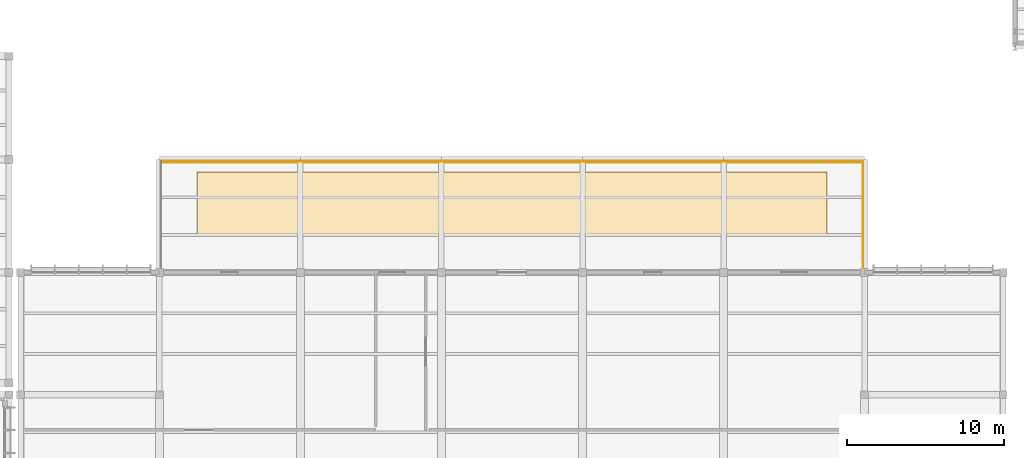
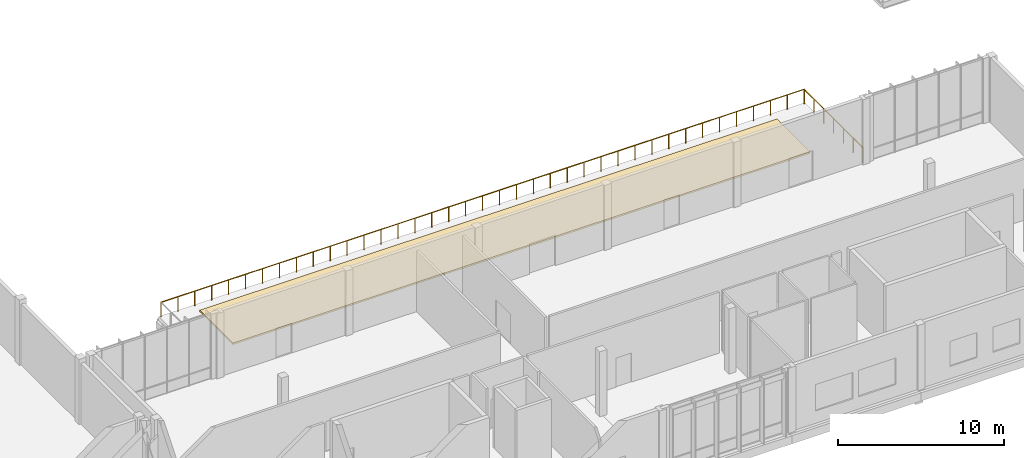
# One storey, part 170 of 177: 2 railings, 1 covering.
"""IFC4 building model written with IfcOpenShell, lengths in metres."""

from ifc_helpers import new_model, si_unit, direction, frame, origin, origin_2d, place, context, subcontext, project, spatial, polyline, circle, outline, extrude, material, layer, layer_set, type_object, element, save


model = new_model("IFC4")

# Units and contexts
model_context = context("Model", 3, precision=1e-05, world=origin(), true_north=direction((0.0, 1.0)))
body_context = subcontext(model_context, "Body", "Model", "MODEL_VIEW")
ifc_project = project(units=[si_unit("LENGTHUNIT", "METRE"), si_unit("AREAUNIT", "SQUARE_METRE"), si_unit("VOLUMEUNIT", "CUBIC_METRE"), si_unit("PLANEANGLEUNIT", "RADIAN"), si_unit("MASSUNIT", "GRAM", prefix="KILO")], contexts=[model_context])

# Site, building, storey
site_placement = place(None, origin())
site = spatial("IfcSite", under=ifc_project, at=site_placement, CompositionType="ELEMENT")
building_placement = place(site_placement, origin())
building = spatial("IfcBuilding", under=site, at=building_placement, Name="Chiffa Square Polytechnic", CompositionType="ELEMENT")
storey_placement = place(building_placement, frame((0.0, 0.0, 4.800048828125)))
storey = spatial("IfcBuildingStorey", under=building, at=storey_placement, Name="L01", CompositionType="ELEMENT", Elevation=4.800048828125)

# Covering
ifc_material_1 = material(Name="Vegetated substrate")
ifc_layer_1 = layer(ifc_material_1, 0.1201171875, Name="Vegetated substrate")
ifc_layer_set_1 = layer_set([ifc_layer_1], Name="Vegetated substrate")
covering_type = type_object("IfcCoveringType", Name="COV-GARDEN-300", PredefinedType="ROOFING", material=ifc_layer_set_1)
covering_placement = place(storey_placement, origin())
element("IfcCovering", 1, at=covering_placement, inside=storey, type_object=covering_type, Name="Planted Mediterranean roof garden GD-V4-L01", PredefinedType="ROOFING", context=body_context, shape_type="SweptSolid", body=[
    extrude(outline(polyline([(60.0, 46.199951171875), (100.199951171875, 46.199951171875), (100.199951171875, 50.199951171875), (60.0, 50.199951171875), (60.0, 46.199951171875)])), origin(), (0.0, 0.0, 1.0), 0.119873046875),
])

# Railings
ifc_material_2 = material(Name="Steel S355", Category="steel")
ifc_layer_2 = layer(ifc_material_2, 0.06005859375, Name="Steel S355")
ifc_layer_set_2 = layer_set([ifc_layer_2], Name="Steel S355")
railing_type = type_object("IfcRailingType", Name="RL-TERR-1100", PredefinedType="BALUSTRADE", material=ifc_layer_set_2)
railing_1_placement = place(storey_placement, frame((57.699951171875, 50.89990234375, 0.0)))
element("IfcRailing", 2, at=railing_1_placement, inside=storey, type_object=railing_type, Name="Terrace safety guard GR-TERR-V4-L01-2", PredefinedType="BALUSTRADE", context=body_context, shape_type="SweptSolid", body=[
    extrude(circle(Radius=0.02392578125, at=origin_2d()), frame((0.0, 0.0, 1.076171875), z_axis=(1.0, 0.0, 0.0), x_axis=(0.0, 1.0, 0.0)), (0.0, 0.0, 1.0), 44.800048828125),
    extrude(circle(Radius=0.02099609375, at=origin_2d()), origin(), (0.0, 0.0, 1.0), 1.052001953125),
    extrude(circle(Radius=0.02099609375, at=origin_2d()), frame((1.178955078125, 0.0, 0.0)), (0.0, 0.0, 1.0), 1.052001953125),
    extrude(circle(Radius=0.02099609375, at=origin_2d()), frame((2.35791015625, 0.0, 0.0)), (0.0, 0.0, 1.0), 1.052001953125),
    extrude(circle(Radius=0.02099609375, at=origin_2d()), frame((3.536865234375, 0.0, 0.0)), (0.0, 0.0, 1.0), 1.052001953125),
    extrude(circle(Radius=0.02099609375, at=origin_2d()), frame((4.7158203125, 0.0, 0.0)), (0.0, 0.0, 1.0), 1.052001953125),
    extrude(circle(Radius=0.02099609375, at=origin_2d()), frame((5.894775390625, 0.0, 0.0)), (0.0, 0.0, 1.0), 1.052001953125),
    extrude(circle(Radius=0.02099609375, at=origin_2d()), frame((7.07373046875, 0.0, 0.0)), (0.0, 0.0, 1.0), 1.052001953125),
    extrude(circle(Radius=0.02099609375, at=origin_2d()), frame((8.252685546875, 0.0, 0.0)), (0.0, 0.0, 1.0), 1.052001953125),
    extrude(circle(Radius=0.02099609375, at=origin_2d()), frame((9.431640625, 0.0, 0.0)), (0.0, 0.0, 1.0), 1.052001953125),
    extrude(circle(Radius=0.02099609375, at=origin_2d()), frame((10.610595703125, 0.0, 0.0)), (0.0, 0.0, 1.0), 1.052001953125),
    extrude(circle(Radius=0.02099609375, at=origin_2d()), frame((11.78955078125, 0.0, 0.0)), (0.0, 0.0, 1.0), 1.052001953125),
    extrude(circle(Radius=0.02099609375, at=origin_2d()), frame((12.968505859375, 0.0, 0.0)), (0.0, 0.0, 1.0), 1.052001953125),
    extrude(circle(Radius=0.02099609375, at=origin_2d()), frame((14.1474609375, 0.0, 0.0)), (0.0, 0.0, 1.0), 1.052001953125),
    extrude(circle(Radius=0.02099609375, at=origin_2d()), frame((15.326416015625, 0.0, 0.0)), (0.0, 0.0, 1.0), 1.052001953125),
    extrude(circle(Radius=0.02099609375, at=origin_2d()), frame((16.50537109375, 0.0, 0.0)), (0.0, 0.0, 1.0), 1.052001953125),
    extrude(circle(Radius=0.02099609375, at=origin_2d()), frame((17.684326171875, 0.0, 0.0)), (0.0, 0.0, 1.0), 1.052001953125),
    extrude(circle(Radius=0.02099609375, at=origin_2d()), frame((18.86328125, 0.0, 0.0)), (0.0, 0.0, 1.0), 1.052001953125),
    extrude(circle(Radius=0.02099609375, at=origin_2d()), frame((20.042236328125, 0.0, 0.0)), (0.0, 0.0, 1.0), 1.052001953125),
    extrude(circle(Radius=0.02099609375, at=origin_2d()), frame((21.22119140625, 0.0, 0.0)), (0.0, 0.0, 1.0), 1.052001953125),
    extrude(circle(Radius=0.02099609375, at=origin_2d()), frame((22.39990234375, 0.0, 0.0)), (0.0, 0.0, 1.0), 1.052001953125),
    extrude(circle(Radius=0.02099609375, at=origin_2d()), frame((23.578857421875, 0.0, 0.0)), (0.0, 0.0, 1.0), 1.052001953125),
    extrude(circle(Radius=0.02099609375, at=origin_2d()), frame((24.7578125, 0.0, 0.0)), (0.0, 0.0, 1.0), 1.052001953125),
    extrude(circle(Radius=0.02099609375, at=origin_2d()), frame((25.936767578125, 0.0, 0.0)), (0.0, 0.0, 1.0), 1.052001953125),
    extrude(circle(Radius=0.02099609375, at=origin_2d()), frame((27.11572265625, 0.0, 0.0)), (0.0, 0.0, 1.0), 1.052001953125),
    extrude(circle(Radius=0.02099609375, at=origin_2d()), frame((28.294677734375, 0.0, 0.0)), (0.0, 0.0, 1.0), 1.052001953125),
    extrude(circle(Radius=0.02099609375, at=origin_2d()), frame((29.4736328125, 0.0, 0.0)), (0.0, 0.0, 1.0), 1.052001953125),
    extrude(circle(Radius=0.02099609375, at=origin_2d()), frame((30.652587890625, 0.0, 0.0)), (0.0, 0.0, 1.0), 1.052001953125),
    extrude(circle(Radius=0.02099609375, at=origin_2d()), frame((31.83154296875, 0.0, 0.0)), (0.0, 0.0, 1.0), 1.052001953125),
    extrude(circle(Radius=0.02099609375, at=origin_2d()), frame((33.010498046875, 0.0, 0.0)), (0.0, 0.0, 1.0), 1.052001953125),
    extrude(circle(Radius=0.02099609375, at=origin_2d()), frame((34.189453125, 0.0, 0.0)), (0.0, 0.0, 1.0), 1.052001953125),
    extrude(circle(Radius=0.02099609375, at=origin_2d()), frame((35.368408203125, 0.0, 0.0)), (0.0, 0.0, 1.0), 1.052001953125),
    extrude(circle(Radius=0.02099609375, at=origin_2d()), frame((36.54736328125, 0.0, 0.0)), (0.0, 0.0, 1.0), 1.052001953125),
    extrude(circle(Radius=0.02099609375, at=origin_2d()), frame((37.726318359375, 0.0, 0.0)), (0.0, 0.0, 1.0), 1.052001953125),
    extrude(circle(Radius=0.02099609375, at=origin_2d()), frame((38.9052734375, 0.0, 0.0)), (0.0, 0.0, 1.0), 1.052001953125),
    extrude(circle(Radius=0.02099609375, at=origin_2d()), frame((40.084228515625, 0.0, 0.0)), (0.0, 0.0, 1.0), 1.052001953125),
    extrude(circle(Radius=0.02099609375, at=origin_2d()), frame((41.26318359375, 0.0, 0.0)), (0.0, 0.0, 1.0), 1.052001953125),
    extrude(circle(Radius=0.02099609375, at=origin_2d()), frame((42.442138671875, 0.0, 0.0)), (0.0, 0.0, 1.0), 1.052001953125),
    extrude(circle(Radius=0.02099609375, at=origin_2d()), frame((43.62109375, 0.0, 0.0)), (0.0, 0.0, 1.0), 1.052001953125),
    extrude(circle(Radius=0.02099609375, at=origin_2d()), frame((44.800048828125, 0.0, 0.0)), (0.0, 0.0, 1.0), 1.052001953125),
])
railing_2_placement = place(storey_placement, frame((102.5, 50.89990234375, 0.0)))
element("IfcRailing", 3, at=railing_2_placement, inside=storey, type_object=railing_type, Name="Terrace safety guard GR-TERR-V4-L01-3", PredefinedType="BALUSTRADE", context=body_context, shape_type="SweptSolid", body=[
    extrude(circle(Radius=0.02392578125, at=origin_2d()), frame((0.0, 0.0, 1.076171875), z_axis=(0.0, -1.0, 0.0), x_axis=(1.0, 0.0, 0.0)), (0.0, 0.0, 1.0), 7.099853515625),
    extrude(circle(Radius=0.02099609375, at=origin_2d()), origin(), (0.0, 0.0, 1.0), 1.052001953125),
    extrude(circle(Radius=0.02099609375, at=origin_2d()), frame((0.0, -1.183349609375, 0.0)), (0.0, 0.0, 1.0), 1.052001953125),
    extrude(circle(Radius=0.02099609375, at=origin_2d()), frame((0.0, -2.36669921875, 0.0)), (0.0, 0.0, 1.0), 1.052001953125),
    extrude(circle(Radius=0.02099609375, at=origin_2d()), frame((0.0, -3.5498046875, 0.0)), (0.0, 0.0, 1.0), 1.052001953125),
    extrude(circle(Radius=0.02099609375, at=origin_2d()), frame((0.0, -4.733154296875, 0.0)), (0.0, 0.0, 1.0), 1.052001953125),
    extrude(circle(Radius=0.02099609375, at=origin_2d()), frame((0.0, -5.91650390625, 0.0)), (0.0, 0.0, 1.0), 1.052001953125),
    extrude(circle(Radius=0.02099609375, at=origin_2d()), frame((0.0, -7.099853515625, 0.0)), (0.0, 0.0, 1.0), 1.052001953125),
])

save(model, "model.ifc")
